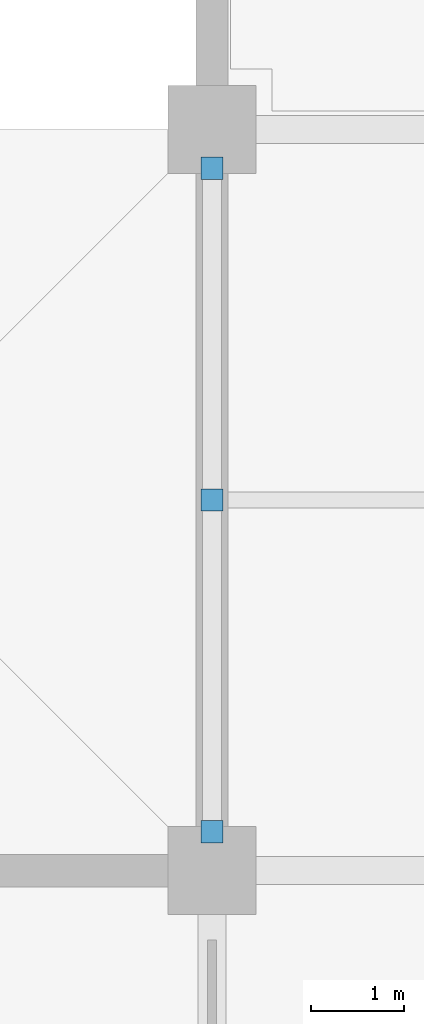
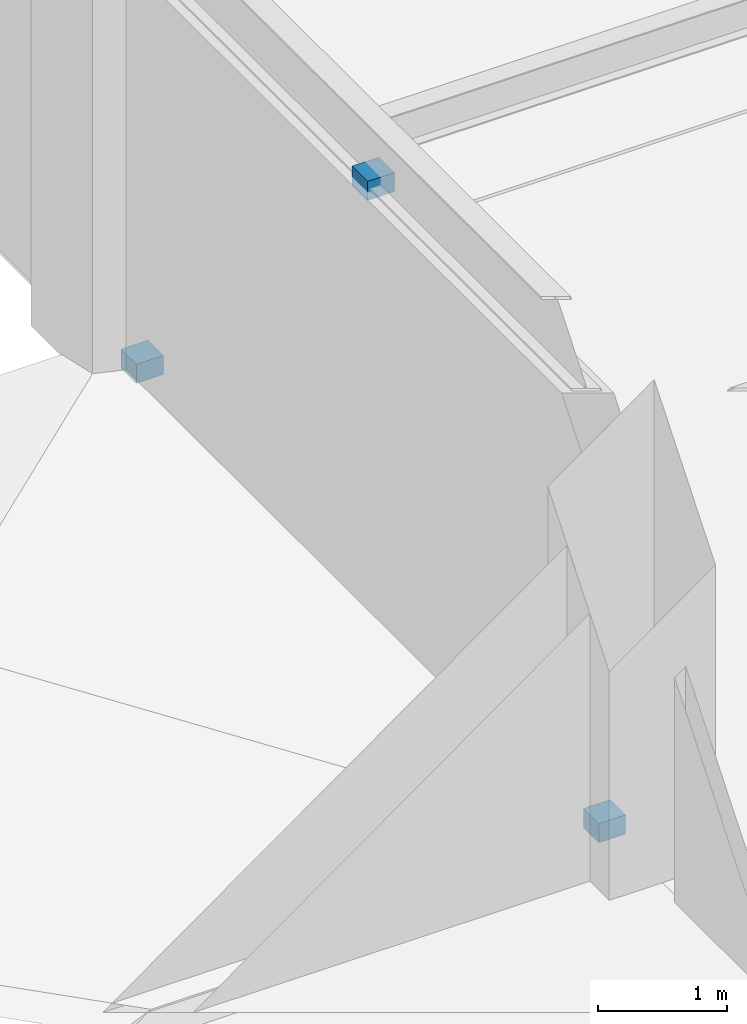
# One storey, part 89 of 109: 3 discrete accessories.
"""IFC4 building model written with IfcOpenShell, lengths in metres."""

import ifcopenshell
import ifcopenshell.guid

model = None  # the IFC model being written
_history = None  # IfcOwnerHistory: only IFC2X3 demands one
_inside = {}  # id of a spatial element -> (the spatial element, [elements in it])
_under = {}  # id of a project, library or spatial element -> (it, [spatial elements below it])
_declared = {}  # id of a project -> (the project, [libraries it declares])
_typed = {}  # id of a type object -> (the type object, [elements of that type])
_made_of = {}  # id of a material, layer set ... -> (it, [elements and type objects made of it])


def new_model(schema):
    """Start an empty IFC model of exactly this schema.

    Asked for "IFC4X3", IfcOpenShell would pick the latest addendum, in which some entities
    have other attributes; the version numbers below select the first issue.
    IFC2X3 requires an IfcOwnerHistory on every rooted entity: one is made here for all.
    """
    global model, _history
    if schema == "IFC4X3":
        model = ifcopenshell.file(schema_version=(4, 3, 0, 0))
    else:
        model = ifcopenshell.file(schema=schema)
    _inside.clear()
    _under.clear()
    _declared.clear()
    _typed.clear()
    _made_of.clear()
    _history = None
    if model.schema == "IFC2X3":
        org = make("IfcOrganization", Name="unknown")
        user = make(
            "IfcPersonAndOrganization",
            ThePerson=make("IfcPerson", FamilyName="unknown"),
            TheOrganization=org,
        )
        app = make(
            "IfcApplication",
            ApplicationDeveloper=org,
            Version="unknown",
            ApplicationFullName="unknown",
            ApplicationIdentifier="unknown",
        )
        _history = make(
            "IfcOwnerHistory",
            OwningUser=user,
            OwningApplication=app,
            ChangeAction="ADDED",
            CreationDate=0,
        )
    return model


def make(cls, **values):
    """One entity of the class cls with the attributes given. An attribute that is None is left unset."""
    return model.create_entity(
        cls, **{name: value for name, value in values.items() if value is not None}
    )


def rooted(cls, **values):
    """An entity with a GlobalId (a new one), such as an element, a storey or a relation."""
    return make(cls, GlobalId=ifcopenshell.guid.new(), OwnerHistory=_history, **values)


def si_unit(unit_type, name, prefix=None):
    """IfcSIUnit, for example si_unit("LENGTHUNIT", "METRE", prefix="MILLI")."""
    return make("IfcSIUnit", UnitType=unit_type, Prefix=prefix, Name=name)


def assignment(units):
    """IfcUnitAssignment: the units of a project."""
    return None if units is None else make("IfcUnitAssignment", Units=units)


def point(xyz):
    """IfcCartesianPoint."""
    return None if xyz is None else make("IfcCartesianPoint", Coordinates=xyz)


def direction(xyz):
    """IfcDirection."""
    return None if xyz is None else make("IfcDirection", DirectionRatios=xyz)


def frame(location, z_axis=None, x_axis=None):
    """IfcAxis2Placement3D, a coordinate frame: its origin and axes. An axis left out is left unset."""
    return make(
        "IfcAxis2Placement3D",
        Location=point(location),
        Axis=direction(z_axis),
        RefDirection=direction(x_axis),
    )


def frame_2d(location, x_axis=None):
    """IfcAxis2Placement2D, a coordinate frame in the plane: its origin and x axis."""
    return make(
        "IfcAxis2Placement2D", Location=point(location), RefDirection=direction(x_axis)
    )


def origin():
    """The frame at (0, 0, 0) with its axes left unset."""
    return frame((0.0, 0.0, 0.0))


def origin_2d():
    """The frame at (0, 0) in the plane with its x axis left unset."""
    return frame_2d((0.0, 0.0))


def place(relative_to, where):
    """IfcLocalPlacement: puts the frame where relative to a parent placement (None: the world)."""
    return make(
        "IfcLocalPlacement", PlacementRelTo=relative_to, RelativePlacement=where
    )


def context(
    kind, dimensions, precision=None, world=None, true_north=None, identifier=None
):
    """IfcGeometricRepresentationContext, for example the 3D "Model" context."""
    return make(
        "IfcGeometricRepresentationContext",
        ContextIdentifier=identifier,
        ContextType=kind,
        CoordinateSpaceDimension=dimensions,
        Precision=precision,
        WorldCoordinateSystem=world,
        TrueNorth=true_north,
    )


def subcontext(parent, identifier, kind, view, scale=None):
    """IfcGeometricRepresentationSubContext, for example "Body" below "Model"."""
    return make(
        "IfcGeometricRepresentationSubContext",
        ContextIdentifier=identifier,
        ContextType=kind,
        ParentContext=parent,
        TargetScale=scale,
        TargetView=view,
    )


def project(units=None, contexts=None):
    """IfcProject with its units and contexts."""
    return rooted(
        "IfcProject",
        Name="project",
        RepresentationContexts=contexts,
        UnitsInContext=assignment(units),
    )


def spatial(cls, under=None, at=None, **own):
    """A site, building, storey or space (cls), placed at a placement, below another one or the project."""
    s = rooted(cls, ObjectPlacement=at, **own)
    if under is not None:
        _under.setdefault(under.id(), (under, []))[1].append(s)
    return s


def profile(cls, at=None, kind="AREA", **sizes):
    """A parametric profile (cls). Its sizes go by their IFC names, for example OverallWidth=200.0."""
    return make(cls, ProfileType=kind, Position=at, **sizes)


def rectangle(**sizes):
    """IfcRectangleProfileDef."""
    return profile("IfcRectangleProfileDef", **sizes)


def extrude(swept, where, along, depth):
    """IfcExtrudedAreaSolid: the profile swept, set in the frame where, extruded along a direction by depth."""
    return make(
        "IfcExtrudedAreaSolid",
        SweptArea=swept,
        Position=where,
        ExtrudedDirection=direction(along),
        Depth=depth,
    )


def shape(context_of_items, identifier, shape_type, items):
    """IfcShapeRepresentation: the items that make up one representation, for example the "Body"."""
    return make(
        "IfcShapeRepresentation",
        ContextOfItems=context_of_items,
        RepresentationIdentifier=identifier,
        RepresentationType=shape_type,
        Items=items,
    )


def material(Name=None, Category=None):
    """IfcMaterial."""
    return make("IfcMaterial", Name=Name, Category=Category)


def layer(
    of_material, thickness, ventilated=None, Name=None, Category=None, Priority=None
):
    """IfcMaterialLayer: one layer of a wall or slab, of a material (None: an air gap)."""
    return make(
        "IfcMaterialLayer",
        Material=of_material,
        LayerThickness=thickness,
        IsVentilated=ventilated,
        Name=Name,
        Category=Category,
        Priority=Priority,
    )


def layer_set(layers, Name=None):
    """IfcMaterialLayerSet."""
    return make("IfcMaterialLayerSet", MaterialLayers=layers, LayerSetName=Name)


def made_of(thing, what):
    """Note that an element or type object is made of a material, layer set ...; save() writes the relation."""
    if what is not None:
        _made_of.setdefault(what.id(), (what, []))[1].append(thing)
    return thing


def type_object(cls, material=None, **own):
    """A type object (cls), such as IfcWallType, which elements share."""
    return made_of(rooted(cls, **own), material)


def element(
    cls,
    number,
    at=None,
    inside=None,
    cuts=None,
    type_object=None,
    material=None,
    context=None,
    identifier="Body",
    shape_type=None,
    held_by="IfcProductDefinitionShape",
    body=None,
    shapes=None,
    **own,
):
    """One element of the class cls, such as IfcWall. Its Tag is "e" and its number.

    at: its placement. inside: the storey or other place that contains it. cuts: it is an
    opening in that element (IfcRelVoidsElement). A single representation is given by context,
    identifier, shape_type and body (its items); several are given by shapes. held_by: the class
    of the entity that holds the representations. save() writes the other relations.
    """
    e = rooted(cls, Tag="e%d" % number, ObjectPlacement=at, **own)
    if body is not None:
        shapes = [shape(context, identifier, shape_type, body)]
    if shapes is not None:
        e.Representation = make(held_by, Representations=shapes)
    if inside is not None:
        _inside.setdefault(inside.id(), (inside, []))[1].append(e)
    if cuts is not None:
        rooted(
            "IfcRelVoidsElement", RelatingBuildingElement=cuts, RelatedOpeningElement=e
        )
    if type_object is not None:
        _typed.setdefault(type_object.id(), (type_object, []))[1].append(e)
    return made_of(e, material)


def aggregate(whole, parts):
    """IfcRelAggregates: a whole, such as a stair, and the parts it consists of."""
    return rooted("IfcRelAggregates", RelatingObject=whole, RelatedObjects=parts)


def save(model, path):
    """Write the relations noted so far, then the file.

    IfcRelAggregates (storeys below a building ...), IfcRelContainedInSpatialStructure (elements
    in a storey), IfcRelDefinesByType, IfcRelAssociatesMaterial and IfcRelDeclares: one each for
    every whole, place, type object, material and project.
    """
    for whole, parts in _under.values():
        aggregate(whole, parts)
    for where, things in _inside.values():
        rooted(
            "IfcRelContainedInSpatialStructure",
            RelatedElements=things,
            RelatingStructure=where,
        )
    for kind, things in _typed.values():
        rooted("IfcRelDefinesByType", RelatedObjects=things, RelatingType=kind)
    for what, things in _made_of.values():
        rooted("IfcRelAssociatesMaterial", RelatedObjects=things, RelatingMaterial=what)
    for by, libraries in _declared.values():
        rooted("IfcRelDeclares", RelatingContext=by, RelatedDefinitions=libraries)
    model.write(path)


model = new_model("IFC4")

# Units and contexts
model_context = context("Model", 3, precision=1e-05, world=origin(), true_north=direction((0.0, 1.0)))
body_context = subcontext(model_context, "Body", "Model", "MODEL_VIEW")
ifc_project = project(units=[si_unit("LENGTHUNIT", "METRE"), si_unit("AREAUNIT", "SQUARE_METRE"), si_unit("VOLUMEUNIT", "CUBIC_METRE"), si_unit("PLANEANGLEUNIT", "RADIAN"), si_unit("MASSUNIT", "GRAM", prefix="KILO")], contexts=[model_context])

# Site, building, storey
site_placement = place(None, origin())
site = spatial("IfcSite", under=ifc_project, at=site_placement, CompositionType="ELEMENT")
building_placement = place(site_placement, origin())
building = spatial("IfcBuilding", under=site, at=building_placement, Name="Haebicheon Civic Stadium", CompositionType="ELEMENT")
storey_placement = place(building_placement, frame((0.0, 0.0, 9.60009765625)))
storey = spatial("IfcBuildingStorey", under=building, at=storey_placement, Name="L03", CompositionType="ELEMENT", Elevation=9.60009765625)

# Discrete accessories
ifc_material = material(Name="White painted steel SM490", Category="steel")
ifc_layer = layer(ifc_material, 0.179931640625, Name="White painted steel SM490")
ifc_layer_set = layer_set([ifc_layer], Name="White painted steel SM490")
discrete_accessory_type = type_object("IfcDiscreteAccessoryType", Name="BRK-END-PLT", PredefinedType="BRACKET", material=ifc_layer_set)
for number, where, z_axis, x_axis, name in (
    (1, (24.0, 136.419921875, -0.05029296875), (0.0, 0.0, 1.0), (1.0, 0.0, 0.0), "Brace L03-03-17 bolted end connection plate"),
    (2, (24.0, 143.580078125, -0.05029296875), (0.0, 0.0, 1.0), (1.0, 0.0, 0.0), "Brace L03-03-17 bolted end connection plate"),
    (3, (24.0, 140.0, 3.85009765625), (0.0, 0.0, 1.0), (1.0, 0.0, 0.0), "Brace L03-03-17 bolted end connection plate"),
):
    element("IfcDiscreteAccessory", number, at=place(storey_placement, frame(where, z_axis=z_axis, x_axis=x_axis)), inside=storey, type_object=discrete_accessory_type, material=ifc_layer_set, Name=name, PredefinedType="BRACKET", context=body_context, shape_type="SweptSolid", body=[
        extrude(rectangle(XDim=0.239990234375, YDim=0.239990234375, at=origin_2d()), origin(), (0.0, 0.0, 1.0), 0.179931640625),
    ])

save(model, "model.ifc")
